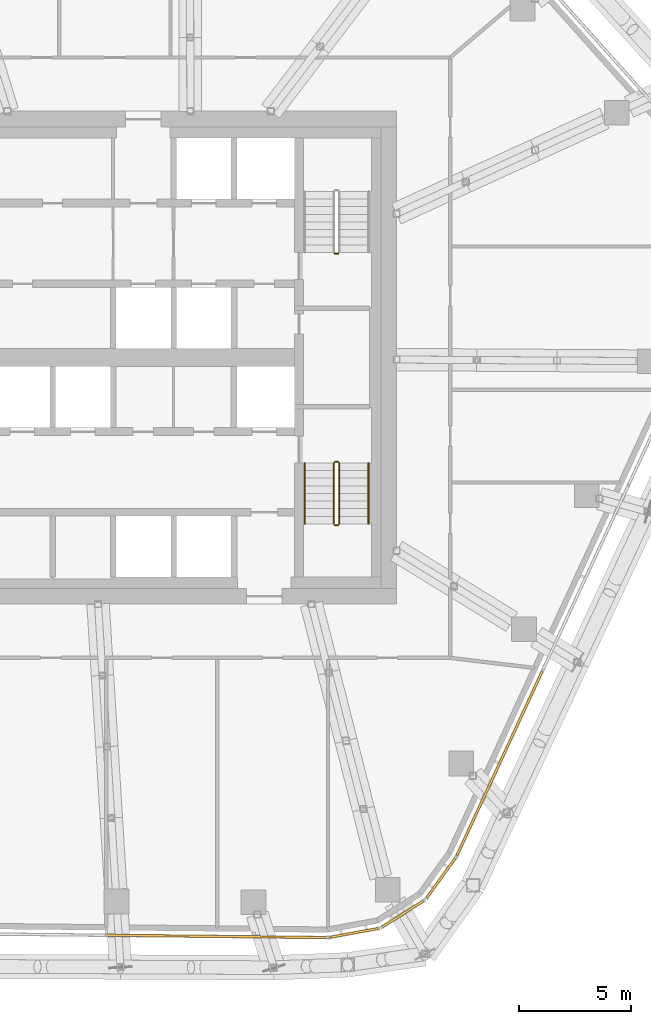
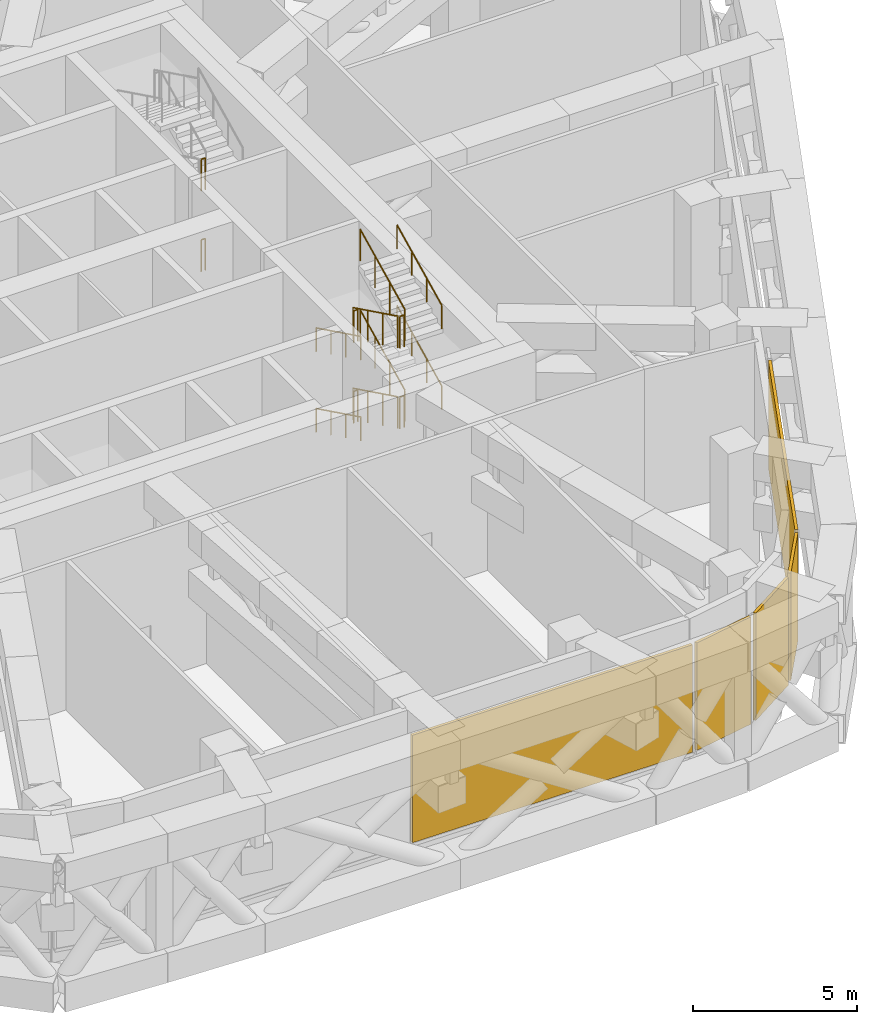
# One storey, part 27 of 31: 14 railings, 5 coverings, 3 elements without a shape of their own.
"""IFC4 building model written with IfcOpenShell, lengths in metres."""

from ifc_helpers import new_model, si_unit, direction, frame, origin, origin_2d, place, context, subcontext, project, spatial, rectangle, circle, extrude, material, layer, layer_set, type_object, element, aggregate, save


model = new_model("IFC4")

# Units and contexts
model_context = context("Model", 3, precision=1e-05, world=origin(), true_north=direction((0.0, 1.0)))
body_context = subcontext(model_context, "Body", "Model", "MODEL_VIEW")
ifc_project = project(units=[si_unit("LENGTHUNIT", "METRE"), si_unit("AREAUNIT", "SQUARE_METRE"), si_unit("VOLUMEUNIT", "CUBIC_METRE"), si_unit("PLANEANGLEUNIT", "RADIAN"), si_unit("MASSUNIT", "GRAM", prefix="KILO")], contexts=[model_context])

# Site, building, storey
site_placement = place(None, origin())
site = spatial("IfcSite", under=ifc_project, at=site_placement, CompositionType="ELEMENT")
building_placement = place(site_placement, origin())
building = spatial("IfcBuilding", under=site, at=building_placement, Name="Dongbaek Canopy Tower", CompositionType="ELEMENT")
storey_placement = place(building_placement, frame((0.0, 0.0, 283.199951171875)))
storey = spatial("IfcBuildingStorey", under=building, at=storey_placement, Name="L60", CompositionType="ELEMENT", Elevation=283.199951171875)

# Curtain wall, covering
ifc_material_1 = material(Name="Aluminium 6063-T6 pale anodised", Category="aluminium")
ifc_layer_1 = layer(ifc_material_1, 0.14990234375)
ifc_layer_set_1 = layer_set([ifc_layer_1], Name="CW-7 louvre curtain wall")
curtain_wall_type = type_object("IfcCurtainWallType", Name="CW-7 louvre curtain wall", PredefinedType="NOTDEFINED", material=ifc_layer_set_1)
curtain_wall_1_placement = place(storey_placement, origin())
curtain_wall_1 = element("IfcCurtainWall", 1, at=curtain_wall_1_placement, inside=storey, type_object=curtain_wall_type, Name="CW-7 louvre wall L60 F4", PredefinedType="NOTDEFINED")
ifc_material_2 = material(Name="Aluminium 6063-T6 pale metal louvre blades", Category="aluminium")
ifc_layer_2 = layer(ifc_material_2, 0.10009765625)
ifc_layer_set_2 = layer_set([ifc_layer_2], Name="Louvre LV bank 100 x 4000")
covering_type = type_object("IfcCoveringType", Name="Louvre LV bank 100 x 4000", PredefinedType="CLADDING", material=ifc_layer_set_2)
covering_1_placement = place(storey_placement, frame((5.988525390625, -25.83203125, 0.775146484375), z_axis=(0.0, 0.0, 1.0), x_axis=(0.999945344365, -0.010455060118, 0.0)))
covering_1 = element("IfcCovering", 2, at=covering_1_placement, type_object=covering_type, Name="Louvre L60 F4.1.2", PredefinedType="CLADDING", context=body_context, shape_type="SweptSolid", body=[
    extrude(rectangle(XDim=9.80078125, YDim=0.10009765625, at=origin_2d()), origin(), (0.0, 0.0, 1.0), 4.0),
])
aggregate(curtain_wall_1, [covering_1])

# Curtain wall, coverings
curtain_wall_2_placement = place(storey_placement, origin())
curtain_wall_2 = element("IfcCurtainWall", 3, at=curtain_wall_2_placement, inside=storey, type_object=curtain_wall_type, Name="CW-7 louvre wall L60 K5", PredefinedType="NOTDEFINED")
covering_2_placement = place(storey_placement, frame((12.10791015625, -25.675537109375, 0.775146484375), z_axis=(0.0, 0.0, 1.0), x_axis=(0.983701824201, 0.179807455529, 0.0)))
covering_2 = element("IfcCovering", 4, at=covering_2_placement, type_object=covering_type, Name="Louvre L60 K5.1.1", PredefinedType="CLADDING", context=body_context, shape_type="SweptSolid", body=[
    extrude(rectangle(XDim=2.162109375, YDim=0.10009765625, at=origin_2d()), origin(), (0.0, 0.0, 1.0), 4.0),
])
covering_3_placement = place(storey_placement, frame((14.287353515625, -24.826171875, 0.775146484375), z_axis=(0.0, 0.0, 1.0), x_axis=(0.84550685584, 0.533964565049, 0.0)))
covering_3 = element("IfcCovering", 5, at=covering_3_placement, type_object=covering_type, Name="Louvre L60 K5.2.1", PredefinedType="CLADDING", context=body_context, shape_type="SweptSolid", body=[
    extrude(rectangle(XDim=2.15234375, YDim=0.10009765625, at=origin_2d()), origin(), (0.0, 0.0, 1.0), 4.0),
])
covering_4_placement = place(storey_placement, frame((15.9912109375, -23.22314453125, 0.775146484375), z_axis=(0.0, 0.0, 1.0), x_axis=(0.585114918244, 0.810950388402, 0.0)))
covering_4 = element("IfcCovering", 6, at=covering_4_placement, type_object=covering_type, Name="Louvre L60 K5.3.1", PredefinedType="CLADDING", context=body_context, shape_type="SweptSolid", body=[
    extrude(rectangle(XDim=2.162109375, YDim=0.10009765625, at=origin_2d()), origin(), (0.0, 0.0, 1.0), 4.0),
])
aggregate(curtain_wall_2, [covering_2, covering_3, covering_4])

# Curtain wall, covering
curtain_wall_3_placement = place(storey_placement, origin())
curtain_wall_3 = element("IfcCurtainWall", 7, at=curtain_wall_3_placement, inside=storey, type_object=curtain_wall_type, Name="CW-7 louvre wall L60 F5", PredefinedType="NOTDEFINED")
covering_5_placement = place(storey_placement, frame((18.6025390625, -18.109619140625, 0.775146484375), z_axis=(0.0, 0.0, 1.0), x_axis=(0.420299890907, 0.907385255392, 0.0)))
covering_5 = element("IfcCovering", 8, at=covering_5_placement, type_object=covering_type, Name="Louvre L60 F5.1.1", PredefinedType="CLADDING", context=body_context, shape_type="SweptSolid", body=[
    extrude(rectangle(XDim=9.041259765625, YDim=0.10009765625, at=origin_2d()), origin(), (0.0, 0.0, 1.0), 4.0),
])
aggregate(curtain_wall_3, [covering_5])

# Railings
ifc_material_3 = material(Name="Stainless steel tube and balusters", Category="steel")
railing_type_1 = type_object("IfcRailingType", Name="Stair guard 1200", PredefinedType="GUARDRAIL", material=ifc_material_3)
for number, where, name in (
    (9, (11.39990234375, 4.64990234375, 3.0), "L60 ST-A stair guard 4"),
    (10, (11.39990234375, 4.64990234375, 0.0), "L60 ST-A stair guard 8"),
):
    element("IfcRailing", number, at=place(storey_placement, frame(where)), inside=storey, type_object=railing_type_1, Name=name, PredefinedType="GUARDRAIL", context=body_context, shape_type="SweptSolid", body=[
        extrude(circle(Radius=0.02392578125, at=origin_2d()), frame((0.0, 0.0, 1.17578125), z_axis=(-1.0, 0.0, 0.0), x_axis=(0.0, -1.0, 0.0)), (0.0, 0.0, 1.0), 0.14990234375),
        extrude(circle(Radius=0.02099609375, at=origin_2d()), origin(), (0.0, 0.0, 1.0), 1.15185546875),
        extrude(circle(Radius=0.02099609375, at=origin_2d()), frame((-0.14990234375, 0.0, 0.0)), (0.0, 0.0, 1.0), 1.15185546875),
    ])
railing_1_placement = place(storey_placement, frame((11.199951171875, -4.699951171875, 0.166748046875)))
element("IfcRailing", 11, at=railing_1_placement, inside=storey, type_object=railing_type_1, Name="L60 ST-B stair guard 1", PredefinedType="GUARDRAIL", context=body_context, shape_type="SweptSolid", body=[
    extrude(circle(Radius=0.02392578125, at=origin_2d()), frame((0.0, 0.0, 1.17578125), z_axis=(0.0, -0.897929466783, 0.4401393787), x_axis=(1.0, 0.0, 0.0)), (0.0, 0.0, 1.0), 3.029052734375),
    extrude(circle(Radius=0.02099609375, at=origin_2d()), origin(), (0.0, 0.0, 1.0), 1.15185546875),
    extrude(circle(Radius=0.02099609375, at=origin_2d()), frame((0.0, -0.90673828125, 0.4443359375)), (0.0, 0.0, 1.0), 1.15185546875),
    extrude(circle(Radius=0.02099609375, at=origin_2d()), frame((0.0, -1.813232421875, 0.888916015625)), (0.0, 0.0, 1.0), 1.15185546875),
    extrude(circle(Radius=0.02099609375, at=origin_2d()), frame((0.0, -2.719970703125, 1.333251953125)), (0.0, 0.0, 1.0), 1.15185546875),
])
railing_2_placement = place(storey_placement, frame((11.25, -7.469970703125, 1.5)))
element("IfcRailing", 12, at=railing_2_placement, inside=storey, type_object=railing_type_1, Name="L60 ST-B stair guard 2", PredefinedType="GUARDRAIL", context=body_context, shape_type="SweptSolid", body=[
    extrude(circle(Radius=0.02392578125, at=origin_2d()), frame((0.0, 0.0, 1.17578125), z_axis=(1.0, 0.0, 0.0), x_axis=(0.0, 1.0, 0.0)), (0.0, 0.0, 1.0), 0.14990234375),
    extrude(circle(Radius=0.02099609375, at=origin_2d()), origin(), (0.0, 0.0, 1.0), 1.15185546875),
    extrude(circle(Radius=0.02099609375, at=origin_2d()), frame((0.14990234375, 0.0, 0.0)), (0.0, 0.0, 1.0), 1.15185546875),
])
railing_3_placement = place(storey_placement, frame((11.449951171875, -7.419921875, 1.666748046875)))
element("IfcRailing", 13, at=railing_3_placement, inside=storey, type_object=railing_type_1, Name="L60 ST-B stair guard 3", PredefinedType="GUARDRAIL", context=body_context, shape_type="SweptSolid", body=[
    extrude(circle(Radius=0.02392578125, at=origin_2d()), frame((0.0, 0.0, 1.17578125), z_axis=(0.0, 0.897929466783, 0.4401393787), x_axis=(-1.0, 0.0, 0.0)), (0.0, 0.0, 1.0), 3.029052734375),
    extrude(circle(Radius=0.02099609375, at=origin_2d()), origin(), (0.0, 0.0, 1.0), 1.15185546875),
    extrude(circle(Radius=0.02099609375, at=origin_2d()), frame((0.0, 0.90673828125, 0.4443359375)), (0.0, 0.0, 1.0), 1.15185546875),
    extrude(circle(Radius=0.02099609375, at=origin_2d()), frame((0.0, 1.813232421875, 0.888916015625)), (0.0, 0.0, 1.0), 1.15185546875),
    extrude(circle(Radius=0.02099609375, at=origin_2d()), frame((0.0, 2.719970703125, 1.333251953125)), (0.0, 0.0, 1.0), 1.15185546875),
])
railing_4_placement = place(storey_placement, frame((11.25, -4.64990234375, 3.0)))
element("IfcRailing", 14, at=railing_4_placement, inside=storey, type_object=railing_type_1, Name="L60 ST-B stair guard 4", PredefinedType="GUARDRAIL", context=body_context, shape_type="SweptSolid", body=[
    extrude(circle(Radius=0.02392578125, at=origin_2d()), frame((0.0, 0.0, 1.17578125), z_axis=(1.0, 0.0, 0.0), x_axis=(0.0, 1.0, 0.0)), (0.0, 0.0, 1.0), 0.14990234375),
    extrude(circle(Radius=0.02099609375, at=origin_2d()), origin(), (0.0, 0.0, 1.0), 1.15185546875),
    extrude(circle(Radius=0.02099609375, at=origin_2d()), frame((0.14990234375, 0.0, 0.0)), (0.0, 0.0, 1.0), 1.15185546875),
])
railing_5_placement = place(storey_placement, frame((11.199951171875, -4.699951171875, 3.166748046875)))
element("IfcRailing", 15, at=railing_5_placement, inside=storey, type_object=railing_type_1, Name="L60 ST-B stair guard 5", PredefinedType="GUARDRAIL", context=body_context, shape_type="SweptSolid", body=[
    extrude(circle(Radius=0.02392578125, at=origin_2d()), frame((0.0, 0.0, 1.17578125), z_axis=(0.0, -0.897929466783, 0.4401393787), x_axis=(1.0, 0.0, 0.0)), (0.0, 0.0, 1.0), 3.029052734375),
    extrude(circle(Radius=0.02099609375, at=origin_2d()), origin(), (0.0, 0.0, 1.0), 1.15185546875),
    extrude(circle(Radius=0.02099609375, at=origin_2d()), frame((0.0, -0.90673828125, 0.4443359375)), (0.0, 0.0, 1.0), 1.15185546875),
    extrude(circle(Radius=0.02099609375, at=origin_2d()), frame((0.0, -1.813232421875, 0.888916015625)), (0.0, 0.0, 1.0), 1.15185546875),
    extrude(circle(Radius=0.02099609375, at=origin_2d()), frame((0.0, -2.719970703125, 1.333251953125)), (0.0, 0.0, 1.0), 1.15185546875),
])
railing_6_placement = place(storey_placement, frame((11.25, -7.469970703125, 4.5)))
element("IfcRailing", 16, at=railing_6_placement, inside=storey, type_object=railing_type_1, Name="L60 ST-B stair guard 6", PredefinedType="GUARDRAIL", context=body_context, shape_type="SweptSolid", body=[
    extrude(circle(Radius=0.02392578125, at=origin_2d()), frame((0.0, 0.0, 1.17578125), z_axis=(1.0, 0.0, 0.0), x_axis=(0.0, 1.0, 0.0)), (0.0, 0.0, 1.0), 0.14990234375),
    extrude(circle(Radius=0.02099609375, at=origin_2d()), origin(), (0.0, 0.0, 1.0), 1.15185546875),
    extrude(circle(Radius=0.02099609375, at=origin_2d()), frame((0.14990234375, 0.0, 0.0)), (0.0, 0.0, 1.0), 1.15185546875),
])
railing_7_placement = place(storey_placement, frame((11.449951171875, -7.419921875, 4.666748046875)))
element("IfcRailing", 17, at=railing_7_placement, inside=storey, type_object=railing_type_1, Name="L60 ST-B stair guard 7", PredefinedType="GUARDRAIL", context=body_context, shape_type="SweptSolid", body=[
    extrude(circle(Radius=0.02392578125, at=origin_2d()), frame((0.0, 0.0, 1.17578125), z_axis=(0.0, 0.897929466783, 0.4401393787), x_axis=(-1.0, 0.0, 0.0)), (0.0, 0.0, 1.0), 3.029052734375),
    extrude(circle(Radius=0.02099609375, at=origin_2d()), origin(), (0.0, 0.0, 1.0), 1.15185546875),
    extrude(circle(Radius=0.02099609375, at=origin_2d()), frame((0.0, 0.90673828125, 0.4443359375)), (0.0, 0.0, 1.0), 1.15185546875),
    extrude(circle(Radius=0.02099609375, at=origin_2d()), frame((0.0, 1.813232421875, 0.888916015625)), (0.0, 0.0, 1.0), 1.15185546875),
    extrude(circle(Radius=0.02099609375, at=origin_2d()), frame((0.0, 2.719970703125, 1.333251953125)), (0.0, 0.0, 1.0), 1.15185546875),
])
railing_8_placement = place(storey_placement, frame((11.25, -4.64990234375, 0.0)))
element("IfcRailing", 18, at=railing_8_placement, inside=storey, type_object=railing_type_1, Name="L60 ST-B stair guard 8", PredefinedType="GUARDRAIL", context=body_context, shape_type="SweptSolid", body=[
    extrude(circle(Radius=0.02392578125, at=origin_2d()), frame((0.0, 0.0, 1.17578125), z_axis=(1.0, 0.0, 0.0), x_axis=(0.0, 1.0, 0.0)), (0.0, 0.0, 1.0), 0.14990234375),
    extrude(circle(Radius=0.02099609375, at=origin_2d()), origin(), (0.0, 0.0, 1.0), 1.15185546875),
    extrude(circle(Radius=0.02099609375, at=origin_2d()), frame((0.14990234375, 0.0, 0.0)), (0.0, 0.0, 1.0), 1.15185546875),
])
ifc_material_4 = material(Name="Stainless steel tube", Category="steel")
railing_type_2 = type_object("IfcRailingType", Name="Stair handrail 900", PredefinedType="HANDRAIL", material=ifc_material_4)
railing_9_placement = place(storey_placement, frame((9.89990234375, -4.699951171875, 0.166748046875)))
element("IfcRailing", 19, at=railing_9_placement, inside=storey, type_object=railing_type_2, Name="L60 ST-B stair handrail 1", PredefinedType="HANDRAIL", context=body_context, shape_type="SweptSolid", body=[
    extrude(circle(Radius=0.02392578125, at=origin_2d()), frame((0.0, 0.0, 0.8759765625), z_axis=(0.0, -0.897929466783, 0.4401393787), x_axis=(1.0, 0.0, 0.0)), (0.0, 0.0, 1.0), 3.029052734375),
    extrude(circle(Radius=0.02099609375, at=origin_2d()), origin(), (0.0, 0.0, 1.0), 0.851806640625),
    extrude(circle(Radius=0.02099609375, at=origin_2d()), frame((0.0, -0.90673828125, 0.4443359375)), (0.0, 0.0, 1.0), 0.851806640625),
    extrude(circle(Radius=0.02099609375, at=origin_2d()), frame((0.0, -1.813232421875, 0.888916015625)), (0.0, 0.0, 1.0), 0.851806640625),
    extrude(circle(Radius=0.02099609375, at=origin_2d()), frame((0.0, -2.719970703125, 1.333251953125)), (0.0, 0.0, 1.0), 0.851806640625),
])
railing_10_placement = place(storey_placement, frame((12.75, -7.419921875, 1.666748046875)))
element("IfcRailing", 20, at=railing_10_placement, inside=storey, type_object=railing_type_2, Name="L60 ST-B stair handrail 2", PredefinedType="HANDRAIL", context=body_context, shape_type="SweptSolid", body=[
    extrude(circle(Radius=0.02392578125, at=origin_2d()), frame((0.0, 0.0, 0.8759765625), z_axis=(0.0, 0.897929466783, 0.4401393787), x_axis=(-1.0, 0.0, 0.0)), (0.0, 0.0, 1.0), 3.029052734375),
    extrude(circle(Radius=0.02099609375, at=origin_2d()), origin(), (0.0, 0.0, 1.0), 0.851806640625),
    extrude(circle(Radius=0.02099609375, at=origin_2d()), frame((0.0, 0.90673828125, 0.4443359375)), (0.0, 0.0, 1.0), 0.851806640625),
    extrude(circle(Radius=0.02099609375, at=origin_2d()), frame((0.0, 1.813232421875, 0.888916015625)), (0.0, 0.0, 1.0), 0.851806640625),
    extrude(circle(Radius=0.02099609375, at=origin_2d()), frame((0.0, 2.719970703125, 1.333251953125)), (0.0, 0.0, 1.0), 0.851806640625),
])
railing_11_placement = place(storey_placement, frame((9.89990234375, -4.699951171875, 3.166748046875)))
element("IfcRailing", 21, at=railing_11_placement, inside=storey, type_object=railing_type_2, Name="L60 ST-B stair handrail 3", PredefinedType="HANDRAIL", context=body_context, shape_type="SweptSolid", body=[
    extrude(circle(Radius=0.02392578125, at=origin_2d()), frame((0.0, 0.0, 0.8759765625), z_axis=(0.0, -0.897929466783, 0.4401393787), x_axis=(1.0, 0.0, 0.0)), (0.0, 0.0, 1.0), 3.029052734375),
    extrude(circle(Radius=0.02099609375, at=origin_2d()), origin(), (0.0, 0.0, 1.0), 0.851806640625),
    extrude(circle(Radius=0.02099609375, at=origin_2d()), frame((0.0, -0.90673828125, 0.4443359375)), (0.0, 0.0, 1.0), 0.851806640625),
    extrude(circle(Radius=0.02099609375, at=origin_2d()), frame((0.0, -1.813232421875, 0.888916015625)), (0.0, 0.0, 1.0), 0.851806640625),
    extrude(circle(Radius=0.02099609375, at=origin_2d()), frame((0.0, -2.719970703125, 1.333251953125)), (0.0, 0.0, 1.0), 0.851806640625),
])
railing_12_placement = place(storey_placement, frame((12.75, -7.419921875, 4.666748046875)))
element("IfcRailing", 22, at=railing_12_placement, inside=storey, type_object=railing_type_2, Name="L60 ST-B stair handrail 4", PredefinedType="HANDRAIL", context=body_context, shape_type="SweptSolid", body=[
    extrude(circle(Radius=0.02392578125, at=origin_2d()), frame((0.0, 0.0, 0.8759765625), z_axis=(0.0, 0.897929466783, 0.4401393787), x_axis=(-1.0, 0.0, 0.0)), (0.0, 0.0, 1.0), 3.029052734375),
    extrude(circle(Radius=0.02099609375, at=origin_2d()), origin(), (0.0, 0.0, 1.0), 0.851806640625),
    extrude(circle(Radius=0.02099609375, at=origin_2d()), frame((0.0, 0.90673828125, 0.4443359375)), (0.0, 0.0, 1.0), 0.851806640625),
    extrude(circle(Radius=0.02099609375, at=origin_2d()), frame((0.0, 1.813232421875, 0.888916015625)), (0.0, 0.0, 1.0), 0.851806640625),
    extrude(circle(Radius=0.02099609375, at=origin_2d()), frame((0.0, 2.719970703125, 1.333251953125)), (0.0, 0.0, 1.0), 0.851806640625),
])

save(model, "model.ifc")
